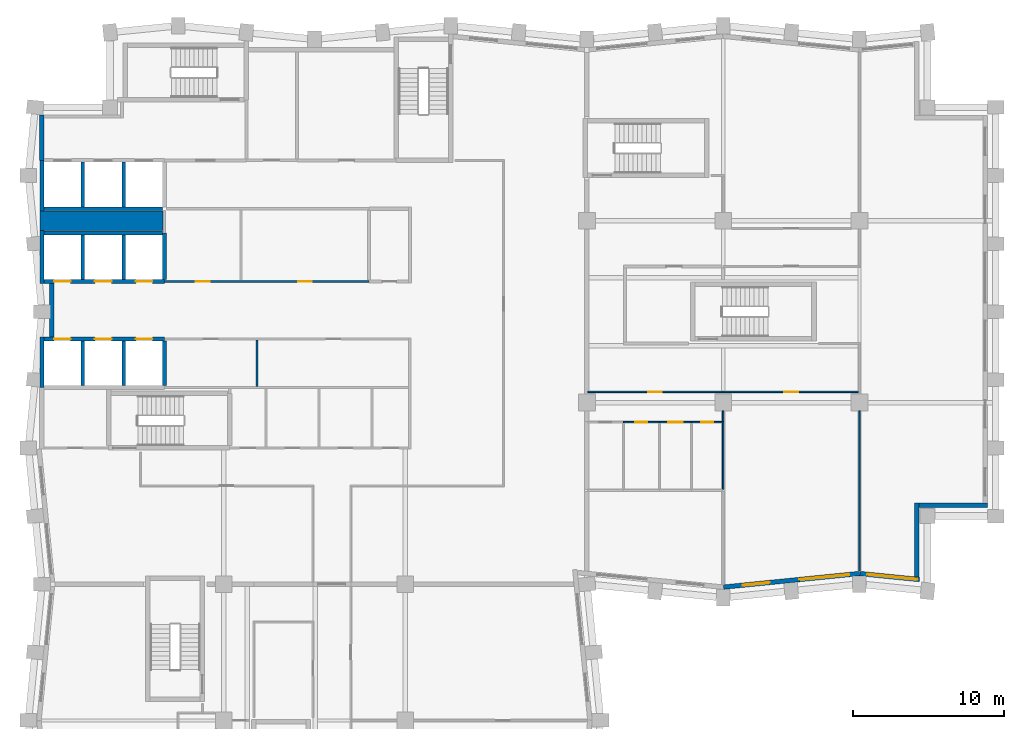
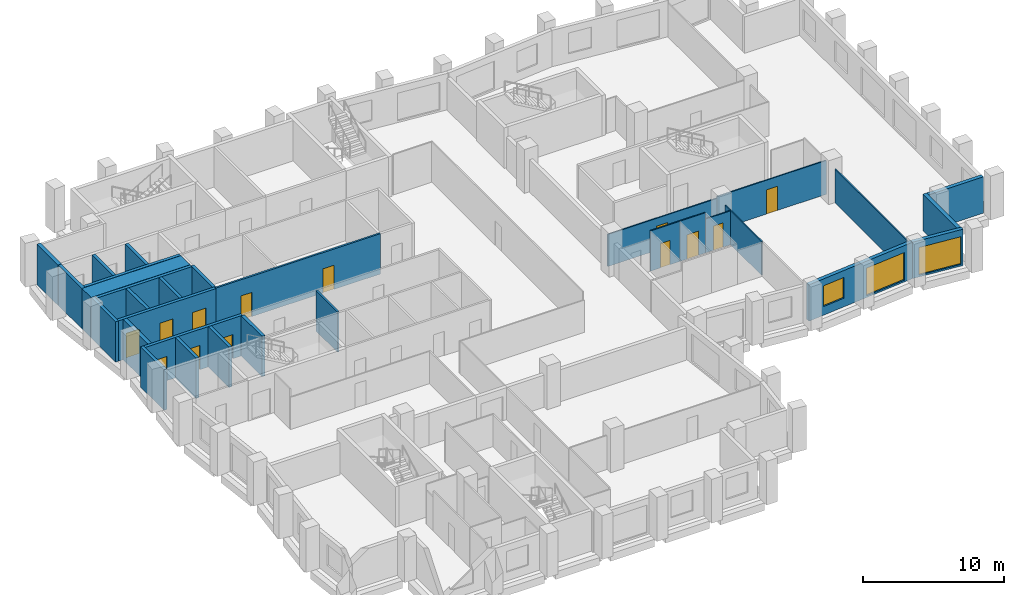
# One storey, part 5 of 10: 32 walls, 13 doors, 3 windows, 16 openings.
"""IFC4 building model written with IfcOpenShell, lengths in metres."""

from ifc_helpers import new_model, si_unit, direction, frame, frame_2d, origin, place, context, subcontext, project, spatial, rectangle, extrude, material, layer, layer_set, type_object, element, fill, save


model = new_model("IFC4")

# Units and contexts
model_context = context("Model", 3, precision=1e-05, world=origin(), true_north=direction((0.0, 1.0)))
body_context = subcontext(model_context, "Body", "Model", "MODEL_VIEW")
ifc_project = project(units=[si_unit("LENGTHUNIT", "METRE"), si_unit("AREAUNIT", "SQUARE_METRE"), si_unit("VOLUMEUNIT", "CUBIC_METRE"), si_unit("PLANEANGLEUNIT", "RADIAN"), si_unit("MASSUNIT", "GRAM", prefix="KILO")], contexts=[model_context])

# Site, building, storey
site_placement = place(None, origin())
site = spatial("IfcSite", under=ifc_project, at=site_placement, CompositionType="ELEMENT")
building_placement = place(site_placement, origin())
building = spatial("IfcBuilding", under=site, at=building_placement, Name="Brondeck Convention Tower", CompositionType="ELEMENT")
storey_placement = place(building_placement, frame((0.0, 0.0, 147.199951171875)))
storey = spatial("IfcBuildingStorey", under=building, at=storey_placement, Name="L35", CompositionType="ELEMENT", Elevation=147.199951171875)

# Walls
ifc_material_1 = material(Name="Concrete C70/85", Category="concrete")
ifc_layer_1 = layer(ifc_material_1, 0.300048828125)
ifc_layer_set_1 = layer_set([ifc_layer_1], Name="Core outer wall 300 Concrete C70/85")
wall_type_1 = type_object("IfcWallType", Name="Core outer wall 300 Concrete C70/85", PredefinedType="SHEAR", material=ifc_layer_set_1)
wall_1_placement = place(storey_placement, frame((0.0, 55.0, 0.0), z_axis=(0.0, 0.0, 1.0), x_axis=(0.0, 1.0, 0.0)))
element("IfcWall", 1, at=wall_1_placement, inside=storey, type_object=wall_type_1, Name="L35 core wall", PredefinedType="SHEAR", context=body_context, shape_type="SweptSolid", body=[
    extrude(rectangle(XDim=3.0, YDim=0.300048828125, at=frame_2d((1.5, 0.0))), origin(), (0.0, 0.0, 1.0), 3.5),
])
wall_2_placement = place(storey_placement, frame((0.64990234375, 43.324951171875, 0.0), z_axis=(0.0, 0.0, 1.0), x_axis=(0.0, 1.0, 0.0)))
element("IfcWall", 2, at=wall_2_placement, inside=storey, type_object=wall_type_1, Name="L35 core wall", PredefinedType="SHEAR", context=body_context, shape_type="SweptSolid", body=[
    extrude(rectangle(XDim=3.550048828125, YDim=0.300048828125, at=frame_2d((1.77490234375, 0.0))), origin(), (0.0, 0.0, 1.0), 3.5),
])

# Wall, openings, doors
ifc_material_2 = material(Name="Fire-rated gypsum board partition")
ifc_layer_2 = layer(ifc_material_2, 0.14990234375)
ifc_layer_set_2 = layer_set([ifc_layer_2], Name="Core partition 150 EI 60")
wall_type_2 = type_object("IfcWallType", Name="Core partition 150 EI 60", PredefinedType="PARTITIONING", material=ifc_layer_set_2)
wall_3_placement = place(storey_placement, frame((8.10009765625, 47.0, 0.0), z_axis=(0.0, 0.0, 1.0), x_axis=(1.0, 0.0, 0.0)))
wall_3 = element("IfcWall", 3, at=wall_3_placement, inside=storey, type_object=wall_type_2, Name="L35 core wall", PredefinedType="PARTITIONING", context=body_context, shape_type="SweptSolid", body=[
    extrude(rectangle(XDim=13.5, YDim=0.14990234375, at=frame_2d((6.75, 0.0))), origin(), (0.0, 0.0, 1.0), 3.5),
])
opening_1_placement = place(wall_3_placement, frame((2.074951171875, 0.0, 0.0)))
opening_1 = element("IfcOpeningElement", 4, at=opening_1_placement, cuts=wall_3, Name="Opening C21-08", PredefinedType="OPENING", context=body_context, shape_type="SweptSolid", body=[
    extrude(rectangle(XDim=0.89990234375, YDim=2.10009765625, at=frame_2d((0.449951171875, 1.050048828125))), frame((0.0, 0.0849609375, 0.0), z_axis=(0.0, -1.0, 0.0), x_axis=(1.0, 0.0, 0.0)), (0.0, 0.0, 1.0), 0.169921875),
])
opening_2_placement = place(wall_3_placement, frame((8.824951171875, 0.0, 0.0)))
opening_2 = element("IfcOpeningElement", 5, at=opening_2_placement, cuts=wall_3, Name="Opening C21-09", PredefinedType="OPENING", context=body_context, shape_type="SweptSolid", body=[
    extrude(rectangle(XDim=0.89990234375, YDim=2.10009765625, at=frame_2d((0.449951171875, 1.050048828125))), frame((0.0, 0.0849609375, 0.0), z_axis=(0.0, -1.0, 0.0), x_axis=(1.0, 0.0, 0.0)), (0.0, 0.0, 1.0), 0.169921875),
])
ifc_material_3 = material(Name="Steel fire door", Category="steel")
door_type_1 = type_object("IfcDoorType", Name="Room door 900x2100 EI 60", OperationType="NOTDEFINED", PredefinedType="DOOR", material=ifc_material_3)
door_1_placement = place(opening_1_placement, origin())
door_1 = element("IfcDoor", 6, at=door_1_placement, inside=storey, type_object=door_type_1, Name="L35 Room door FZ-N-8.1-1", OperationType="SINGLE_SWING_LEFT", OverallHeight=2.10009765625, OverallWidth=0.89990234375, PredefinedType="DOOR", context=body_context, shape_type="SweptSolid", body=[
    extrude(rectangle(XDim=0.89990234375, YDim=2.10009765625, at=frame_2d((0.449951171875, 1.050048828125))), frame((0.0, 0.02490234375, 0.0), z_axis=(0.0, -1.0, 0.0), x_axis=(1.0, 0.0, 0.0)), (0.0, 0.0, 1.0), 0.050048828125),
])
fill(opening_1, door_1)
door_2_placement = place(opening_2_placement, origin())
door_2 = element("IfcDoor", 7, at=door_2_placement, inside=storey, type_object=door_type_1, Name="L35 Room door FZ-N-8.1-2", OperationType="SINGLE_SWING_RIGHT", OverallHeight=2.10009765625, OverallWidth=0.89990234375, PredefinedType="DOOR", context=body_context, shape_type="SweptSolid", body=[
    extrude(rectangle(XDim=0.89990234375, YDim=2.10009765625, at=frame_2d((0.449951171875, 1.050048828125))), frame((0.0, 0.02490234375, 0.0), z_axis=(0.0, -1.0, 0.0), x_axis=(1.0, 0.0, 0.0)), (0.0, 0.0, 1.0), 0.050048828125),
])
fill(opening_2, door_2)

# Walls
wall_4_placement = place(storey_placement, frame((14.199951171875, 40.074951171875, 0.0), z_axis=(0.0, 0.0, 1.0), x_axis=(0.0, 1.0, 0.0)))
element("IfcWall", 8, at=wall_4_placement, inside=storey, type_object=wall_type_2, Name="L35 core wall", PredefinedType="PARTITIONING", context=body_context, shape_type="SweptSolid", body=[
    extrude(rectangle(XDim=3.050048828125, YDim=0.14990234375, at=frame_2d((1.52490234375, 0.0))), origin(), (0.0, 0.0, 1.0), 3.5),
])
ifc_layer_3 = layer(ifc_material_1, 1.300048828125)
ifc_layer_set_3 = layer_set([ifc_layer_3], Name="Core shear wall 1300 Concrete C70/85")
wall_type_3 = type_object("IfcWallType", Name="Core shear wall 1300 Concrete C70/85", PredefinedType="SHEAR", material=ifc_layer_set_3)
wall_5_placement = place(storey_placement, frame((-0.125, 51.0, 0.0), z_axis=(0.0, 0.0, 1.0), x_axis=(1.0, 0.0, 0.0)))
element("IfcWall", 9, at=wall_5_placement, inside=storey, type_object=wall_type_3, Name="L35 core wall", PredefinedType="SHEAR", context=body_context, shape_type="SweptSolid", body=[
    extrude(rectangle(XDim=8.125, YDim=1.300048828125, at=frame_2d((4.0625, 0.0))), origin(), (0.0, 0.0, 1.0), 3.5),
])

# Wall, openings, windows
ifc_material_4 = material(Name="Precast concrete C50/60 bronze finish", Category="concrete")
ifc_layer_4 = layer(ifc_material_4, 0.070068359375, Name="Bronze precast facing")
ifc_material_5 = material(Name="Mineral wool")
ifc_layer_5 = layer(ifc_material_5, 0.159912109375, Name="Insulation")
ifc_material_6 = material(Name="Concrete C35/45", Category="concrete")
ifc_layer_6 = layer(ifc_material_6, 0.070068359375, Name="Backing")
ifc_layer_set_4 = layer_set([ifc_layer_4, ifc_layer_5, ifc_layer_6], Name="External infill wall, precast concrete C50/60 bronze facing")
wall_type_4 = type_object("IfcWallType", Name="External infill wall, precast concrete C50/60 bronze facing", PredefinedType="SOLIDWALL", material=ifc_layer_set_4)
wall_6_placement = place(storey_placement, frame((54.014892578125, 27.705078125, 0.0), z_axis=(0.0, 0.0, 1.0), x_axis=(-0.995035316196, -0.099522457379, 0.0)))
wall_6 = element("IfcWall", 10, at=wall_6_placement, inside=storey, type_object=wall_type_4, Name="ENV-EW-L35-P1-A-S-02", PredefinedType="SOLIDWALL", context=body_context, shape_type="SweptSolid", body=[
    extrude(rectangle(XDim=9.030029296875, YDim=0.300048828125, at=frame_2d((4.51513671875, 0.0))), origin(), (0.0, 0.0, 1.0), 3.150146484375),
])
opening_3_placement = place(wall_6_placement, frame((0.6962890625, 0.0, 0.14990234375)))
opening_3 = element("IfcOpeningElement", 11, at=opening_3_placement, cuts=wall_6, Name="Opening W9", PredefinedType="OPENING", context=body_context, shape_type="SweptSolid", body=[
    extrude(rectangle(XDim=3.300048828125, YDim=2.39990234375, at=frame_2d((1.64990234375, 1.199951171875))), frame((0.0, 0.159912109375, 0.0), z_axis=(0.0, -1.0, 0.0), x_axis=(1.0, 0.0, 0.0)), (0.0, 0.0, 1.0), 0.320068359375),
])
opening_4_placement = place(wall_6_placement, frame((5.968505859375, 0.0, 0.75)))
opening_4 = element("IfcOpeningElement", 12, at=opening_4_placement, cuts=wall_6, Name="Opening W10", PredefinedType="OPENING", context=body_context, shape_type="SweptSolid", body=[
    extrude(rectangle(XDim=1.800048828125, YDim=1.800048828125, at=frame_2d((0.89990234375, 0.89990234375))), frame((0.0, 0.159912109375, 0.0), z_axis=(0.0, -1.0, 0.0), x_axis=(1.0, 0.0, 0.0)), (0.0, 0.0, 1.0), 0.320068359375),
])
ifc_material_7 = material(Name="Bronze tinted double glazing", Category="glass")
window_type_1 = type_object("IfcWindowType", Name="Glazed flute window, bronze tinted", PartitioningType="SINGLE_PANEL", PredefinedType="WINDOW", material=ifc_material_7)
window_1_placement = place(opening_3_placement, origin())
window_1 = element("IfcWindow", 13, at=window_1_placement, inside=storey, type_object=window_type_1, Name="ENV-WN-L35-P1-A-S-03", OverallHeight=2.39990234375, OverallWidth=3.300048828125, PartitioningType="SINGLE_PANEL", PredefinedType="WINDOW", context=body_context, shape_type="SweptSolid", body=[
    extrude(rectangle(XDim=3.300048828125, YDim=2.39990234375, at=frame_2d((1.64990234375, 1.199951171875))), frame((0.0, 0.030029296875, 0.0), z_axis=(0.0, -1.0, 0.0), x_axis=(1.0, 0.0, 0.0)), (0.0, 0.0, 1.0), 0.06005859375),
])
fill(opening_3, window_1)
window_type_2 = type_object("IfcWindowType", Name="Punched window, bronze tinted", PartitioningType="SINGLE_PANEL", PredefinedType="WINDOW", material=ifc_material_7)
window_2_placement = place(opening_4_placement, origin())
window_2 = element("IfcWindow", 14, at=window_2_placement, inside=storey, type_object=window_type_2, Name="ENV-WN-L35-P1-A-S-02", OverallHeight=1.800048828125, OverallWidth=1.800048828125, PartitioningType="SINGLE_PANEL", PredefinedType="WINDOW", context=body_context, shape_type="SweptSolid", body=[
    extrude(rectangle(XDim=1.800048828125, YDim=1.800048828125, at=frame_2d((0.89990234375, 0.89990234375))), frame((0.0, 0.030029296875, 0.0), z_axis=(0.0, -1.0, 0.0), x_axis=(1.0, 0.0, 0.0)), (0.0, 0.0, 1.0), 0.06005859375),
])
fill(opening_4, window_2)

# Wall, opening, window
wall_7_placement = place(storey_placement, frame((57.96484375, 27.306884765625, 0.0), z_axis=(0.0, 0.0, 1.0), x_axis=(-0.99503596767, 0.099515943658, 0.0)))
wall_7 = element("IfcWall", 15, at=wall_7_placement, inside=storey, type_object=wall_type_4, Name="ENV-EW-L35-P1-A-S-04", PredefinedType="SOLIDWALL", context=body_context, shape_type="SweptSolid", body=[
    extrude(rectangle(XDim=3.95458984375, YDim=0.300048828125, at=frame_2d((1.977294921875, 0.0))), origin(), (0.0, 0.0, 1.0), 3.150146484375),
])
opening_5_placement = place(wall_7_placement, frame((0.14990234375, 0.0, 0.14990234375)))
opening_5 = element("IfcOpeningElement", 16, at=opening_5_placement, cuts=wall_7, Name="Opening W9", PredefinedType="OPENING", context=body_context, shape_type="SweptSolid", body=[
    extrude(rectangle(XDim=3.300048828125, YDim=2.39990234375, at=frame_2d((1.64990234375, 1.199951171875))), frame((0.0, 0.159912109375, 0.0), z_axis=(0.0, -1.0, 0.0), x_axis=(1.0, 0.0, 0.0)), (0.0, 0.0, 1.0), 0.320068359375),
])
window_3_placement = place(opening_5_placement, origin())
window_3 = element("IfcWindow", 17, at=window_3_placement, inside=storey, type_object=window_type_1, Name="ENV-WN-L35-P1-A-S-04", OverallHeight=2.39990234375, OverallWidth=3.300048828125, PartitioningType="SINGLE_PANEL", PredefinedType="WINDOW", context=body_context, shape_type="SweptSolid", body=[
    extrude(rectangle(XDim=3.300048828125, YDim=2.39990234375, at=frame_2d((1.64990234375, 1.199951171875))), frame((0.0, 0.030029296875, 0.0), z_axis=(0.0, -1.0, 0.0), x_axis=(1.0, 0.0, 0.0)), (0.0, 0.0, 1.0), 0.06005859375),
])
fill(opening_5, window_3)

# Walls
wall_8_placement = place(storey_placement, frame((57.800048828125, 32.35009765625, 0.0), z_axis=(0.0, 0.0, 1.0), x_axis=(0.0, -1.0, 0.0)))
element("IfcWall", 18, at=wall_8_placement, inside=storey, type_object=wall_type_4, Name="ENV-EW-L35-P1-NC-SEA63-01", PredefinedType="SOLIDWALL", context=body_context, shape_type="SweptSolid", body=[
    extrude(rectangle(XDim=4.87060546875, YDim=0.300048828125, at=frame_2d((2.435302734375, 0.0))), origin(), (0.0, 0.0, 1.0), 3.150146484375),
])
wall_9_placement = place(storey_placement, frame((62.449951171875, 32.199951171875, 0.0), z_axis=(0.0, 0.0, 1.0), x_axis=(-1.0, 0.0, 0.0)))
element("IfcWall", 19, at=wall_9_placement, inside=storey, type_object=wall_type_4, Name="ENV-EW-L35-P1-NC-SEA63-02", PredefinedType="SOLIDWALL", context=body_context, shape_type="SweptSolid", body=[
    extrude(rectangle(XDim=4.501953125, YDim=0.300048828125, at=frame_2d((2.2509765625, 0.0))), origin(), (0.0, 0.0, 1.0), 3.150146484375),
])

# Wall, openings, doors
ifc_layer_7 = layer(ifc_material_1, 0.25)
ifc_layer_set_5 = layer_set([ifc_layer_7], Name="Lift shaft wall 250 Concrete C70/85")
wall_type_5 = type_object("IfcWallType", Name="Lift shaft wall 250 Concrete C70/85", PredefinedType="SHEAR", material=ifc_layer_set_5)
wall_10_placement = place(storey_placement, frame((0.125, 43.199951171875, 0.0), z_axis=(0.0, 0.0, 1.0), x_axis=(1.0, 0.0, 0.0)))
wall_10 = element("IfcWall", 20, at=wall_10_placement, inside=storey, type_object=wall_type_5, Name="L35 core wall", PredefinedType="SHEAR", context=body_context, shape_type="SweptSolid", body=[
    extrude(rectangle(XDim=7.97509765625, YDim=0.25, at=frame_2d((3.987548828125, 0.0))), origin(), (0.0, 0.0, 1.0), 3.5),
])
opening_6_placement = place(wall_10_placement, frame((0.675048828125, 0.0, 0.0)))
opening_6 = element("IfcOpeningElement", 21, at=opening_6_placement, cuts=wall_10, Name="Opening C21-24", PredefinedType="OPENING", context=body_context, shape_type="SweptSolid", body=[
    extrude(rectangle(XDim=1.10009765625, YDim=2.10009765625, at=frame_2d((0.550048828125, 1.050048828125))), frame((0.0, 0.135009765625, 0.0), z_axis=(0.0, -1.0, 0.0), x_axis=(1.0, 0.0, 0.0)), (0.0, 0.0, 1.0), 0.27001953125),
])
opening_7_placement = place(wall_10_placement, frame((3.375, 0.0, 0.0)))
opening_7 = element("IfcOpeningElement", 22, at=opening_7_placement, cuts=wall_10, Name="Opening C21-25", PredefinedType="OPENING", context=body_context, shape_type="SweptSolid", body=[
    extrude(rectangle(XDim=1.10009765625, YDim=2.10009765625, at=frame_2d((0.550048828125, 1.050048828125))), frame((0.0, 0.135009765625, 0.0), z_axis=(0.0, -1.0, 0.0), x_axis=(1.0, 0.0, 0.0)), (0.0, 0.0, 1.0), 0.27001953125),
])
opening_8_placement = place(wall_10_placement, frame((6.074951171875, 0.0, 0.0)))
opening_8 = element("IfcOpeningElement", 23, at=opening_8_placement, cuts=wall_10, Name="Opening C21-26", PredefinedType="OPENING", context=body_context, shape_type="SweptSolid", body=[
    extrude(rectangle(XDim=1.10009765625, YDim=2.10009765625, at=frame_2d((0.550048828125, 1.050048828125))), frame((0.0, 0.135009765625, 0.0), z_axis=(0.0, -1.0, 0.0), x_axis=(1.0, 0.0, 0.0)), (0.0, 0.0, 1.0), 0.27001953125),
])
ifc_material_8 = material(Name="Stainless steel lift door", Category="steel")
door_type_2 = type_object("IfcDoorType", Name="Lift landing door 1100x2100 EI 180", OperationType="DOUBLE_DOOR_SLIDING", PredefinedType="DOOR", material=ifc_material_8)
door_3_placement = place(opening_6_placement, origin())
door_3 = element("IfcDoor", 24, at=door_3_placement, inside=storey, type_object=door_type_2, Name="L35 Lift landing door HR1", OperationType="DOUBLE_DOOR_SLIDING", OverallHeight=2.10009765625, OverallWidth=1.10009765625, PredefinedType="DOOR", context=body_context, shape_type="SweptSolid", body=[
    extrude(rectangle(XDim=1.10009765625, YDim=2.10009765625, at=frame_2d((0.550048828125, 1.050048828125))), frame((0.0, 0.02490234375, 0.0), z_axis=(0.0, -1.0, 0.0), x_axis=(1.0, 0.0, 0.0)), (0.0, 0.0, 1.0), 0.050048828125),
])
fill(opening_6, door_3)
door_4_placement = place(opening_7_placement, origin())
door_4 = element("IfcDoor", 25, at=door_4_placement, inside=storey, type_object=door_type_2, Name="L35 Lift landing door HR2", OperationType="DOUBLE_DOOR_SLIDING", OverallHeight=2.10009765625, OverallWidth=1.10009765625, PredefinedType="DOOR", context=body_context, shape_type="SweptSolid", body=[
    extrude(rectangle(XDim=1.10009765625, YDim=2.10009765625, at=frame_2d((0.550048828125, 1.050048828125))), frame((0.0, 0.02490234375, 0.0), z_axis=(0.0, -1.0, 0.0), x_axis=(1.0, 0.0, 0.0)), (0.0, 0.0, 1.0), 0.050048828125),
])
fill(opening_7, door_4)
door_5_placement = place(opening_8_placement, origin())
door_5 = element("IfcDoor", 26, at=door_5_placement, inside=storey, type_object=door_type_2, Name="L35 Lift landing door HR3", OperationType="DOUBLE_DOOR_SLIDING", OverallHeight=2.10009765625, OverallWidth=1.10009765625, PredefinedType="DOOR", context=body_context, shape_type="SweptSolid", body=[
    extrude(rectangle(XDim=1.10009765625, YDim=2.10009765625, at=frame_2d((0.550048828125, 1.050048828125))), frame((0.0, 0.02490234375, 0.0), z_axis=(0.0, -1.0, 0.0), x_axis=(1.0, 0.0, 0.0)), (0.0, 0.0, 1.0), 0.050048828125),
])
fill(opening_8, door_5)

wall_11_placement = place(storey_placement, frame((0.125, 47.0, 0.0), z_axis=(0.0, 0.0, 1.0), x_axis=(1.0, 0.0, 0.0)))
wall_11 = element("IfcWall", 27, at=wall_11_placement, inside=storey, type_object=wall_type_5, Name="L35 core wall", PredefinedType="SHEAR", context=body_context, shape_type="SweptSolid", body=[
    extrude(rectangle(XDim=7.97509765625, YDim=0.25, at=frame_2d((3.987548828125, 0.0))), origin(), (0.0, 0.0, 1.0), 3.5),
])
opening_9_placement = place(wall_11_placement, frame((0.675048828125, 0.0, 0.0)))
opening_9 = element("IfcOpeningElement", 28, at=opening_9_placement, cuts=wall_11, Name="Opening C21-27", PredefinedType="OPENING", context=body_context, shape_type="SweptSolid", body=[
    extrude(rectangle(XDim=1.10009765625, YDim=2.10009765625, at=frame_2d((0.550048828125, 1.050048828125))), frame((0.0, 0.135009765625, 0.0), z_axis=(0.0, -1.0, 0.0), x_axis=(1.0, 0.0, 0.0)), (0.0, 0.0, 1.0), 0.27001953125),
])
opening_10_placement = place(wall_11_placement, frame((3.375, 0.0, 0.0)))
opening_10 = element("IfcOpeningElement", 29, at=opening_10_placement, cuts=wall_11, Name="Opening C21-28", PredefinedType="OPENING", context=body_context, shape_type="SweptSolid", body=[
    extrude(rectangle(XDim=1.10009765625, YDim=2.10009765625, at=frame_2d((0.550048828125, 1.050048828125))), frame((0.0, 0.135009765625, 0.0), z_axis=(0.0, -1.0, 0.0), x_axis=(1.0, 0.0, 0.0)), (0.0, 0.0, 1.0), 0.27001953125),
])
opening_11_placement = place(wall_11_placement, frame((6.074951171875, 0.0, 0.0)))
opening_11 = element("IfcOpeningElement", 30, at=opening_11_placement, cuts=wall_11, Name="Opening C21-29", PredefinedType="OPENING", context=body_context, shape_type="SweptSolid", body=[
    extrude(rectangle(XDim=1.10009765625, YDim=2.10009765625, at=frame_2d((0.550048828125, 1.050048828125))), frame((0.0, 0.135009765625, 0.0), z_axis=(0.0, -1.0, 0.0), x_axis=(1.0, 0.0, 0.0)), (0.0, 0.0, 1.0), 0.27001953125),
])
door_6_placement = place(opening_9_placement, origin())
door_6 = element("IfcDoor", 31, at=door_6_placement, inside=storey, type_object=door_type_2, Name="L35 Lift landing door HR4", OperationType="DOUBLE_DOOR_SLIDING", OverallHeight=2.10009765625, OverallWidth=1.10009765625, PredefinedType="DOOR", context=body_context, shape_type="SweptSolid", body=[
    extrude(rectangle(XDim=1.10009765625, YDim=2.10009765625, at=frame_2d((0.550048828125, 1.050048828125))), frame((0.0, 0.02490234375, 0.0), z_axis=(0.0, -1.0, 0.0), x_axis=(1.0, 0.0, 0.0)), (0.0, 0.0, 1.0), 0.050048828125),
])
fill(opening_9, door_6)
door_7_placement = place(opening_10_placement, origin())
door_7 = element("IfcDoor", 32, at=door_7_placement, inside=storey, type_object=door_type_2, Name="L35 Lift landing door HR5", OperationType="DOUBLE_DOOR_SLIDING", OverallHeight=2.10009765625, OverallWidth=1.10009765625, PredefinedType="DOOR", context=body_context, shape_type="SweptSolid", body=[
    extrude(rectangle(XDim=1.10009765625, YDim=2.10009765625, at=frame_2d((0.550048828125, 1.050048828125))), frame((0.0, 0.02490234375, 0.0), z_axis=(0.0, -1.0, 0.0), x_axis=(1.0, 0.0, 0.0)), (0.0, 0.0, 1.0), 0.050048828125),
])
fill(opening_10, door_7)
door_8_placement = place(opening_11_placement, origin())
door_8 = element("IfcDoor", 33, at=door_8_placement, inside=storey, type_object=door_type_2, Name="L35 Lift landing door HR6", OperationType="DOUBLE_DOOR_SLIDING", OverallHeight=2.10009765625, OverallWidth=1.10009765625, PredefinedType="DOOR", context=body_context, shape_type="SweptSolid", body=[
    extrude(rectangle(XDim=1.10009765625, YDim=2.10009765625, at=frame_2d((0.550048828125, 1.050048828125))), frame((0.0, 0.02490234375, 0.0), z_axis=(0.0, -1.0, 0.0), x_axis=(1.0, 0.0, 0.0)), (0.0, 0.0, 1.0), 0.050048828125),
])
fill(opening_11, door_8)

# Walls
for number, where, z_axis, x_axis, name in (
    (34, (0.125, 50.199951171875, 0.0), (0.0, 0.0, 1.0), (1.0, 0.0, 0.0), "L35 core wall"),
    (35, (0.125, 51.800048828125, 0.0), (0.0, 0.0, 1.0), (1.0, 0.0, 0.0), "L35 core wall"),
):
    element("IfcWall", number, at=place(storey_placement, frame(where, z_axis=z_axis, x_axis=x_axis)), inside=storey, type_object=wall_type_5, Name=name, PredefinedType="SHEAR", context=body_context, shape_type="SweptSolid", body=[
        extrude(rectangle(XDim=7.85009765625, YDim=0.25, at=frame_2d((3.925048828125, 0.0))), origin(), (0.0, 0.0, 1.0), 3.5),
    ])
wall_12_placement = place(storey_placement, frame((0.0, 40.0, 0.0), z_axis=(0.0, 0.0, 1.0), x_axis=(0.0, 1.0, 0.0)))
element("IfcWall", 36, at=wall_12_placement, inside=storey, type_object=wall_type_5, Name="L35 core wall", PredefinedType="SHEAR", context=body_context, shape_type="SweptSolid", body=[
    extrude(rectangle(XDim=3.324951171875, YDim=0.25, at=frame_2d((1.66259765625, 0.0))), origin(), (0.0, 0.0, 1.0), 3.5),
])
wall_13_placement = place(storey_placement, frame((0.0, 46.875, 0.0), z_axis=(0.0, 0.0, 1.0), x_axis=(0.0, 1.0, 0.0)))
element("IfcWall", 37, at=wall_13_placement, inside=storey, type_object=wall_type_5, Name="L35 core wall", PredefinedType="SHEAR", context=body_context, shape_type="SweptSolid", body=[
    extrude(rectangle(XDim=3.47509765625, YDim=0.25, at=frame_2d((1.737548828125, 0.0))), origin(), (0.0, 0.0, 1.0), 3.5),
])
wall_14_placement = place(storey_placement, frame((0.0, 51.64990234375, 0.0), z_axis=(0.0, 0.0, 1.0), x_axis=(0.0, 1.0, 0.0)))
element("IfcWall", 38, at=wall_14_placement, inside=storey, type_object=wall_type_5, Name="L35 core wall", PredefinedType="SHEAR", context=body_context, shape_type="SweptSolid", body=[
    extrude(rectangle(XDim=3.35009765625, YDim=0.25, at=frame_2d((1.675048828125, 0.0))), origin(), (0.0, 0.0, 1.0), 3.5),
])
for number, where, z_axis, x_axis, name in (
    (39, (2.699951171875, 40.125, 0.0), (0.0, 0.0, 1.0), (0.0, 1.0, 0.0), "L35 core wall"),
    (40, (2.699951171875, 47.125, 0.0), (0.0, 0.0, 1.0), (0.0, 1.0, 0.0), "L35 core wall"),
    (41, (2.699951171875, 51.925048828125, 0.0), (0.0, 0.0, 1.0), (0.0, 1.0, 0.0), "L35 core wall"),
    (42, (5.39990234375, 40.125, 0.0), (0.0, 0.0, 1.0), (0.0, 1.0, 0.0), "L35 core wall"),
    (43, (5.39990234375, 47.125, 0.0), (0.0, 0.0, 1.0), (0.0, 1.0, 0.0), "L35 core wall"),
    (44, (5.39990234375, 51.925048828125, 0.0), (0.0, 0.0, 1.0), (0.0, 1.0, 0.0), "L35 core wall"),
    (45, (8.10009765625, 40.125, 0.0), (0.0, 0.0, 1.0), (0.0, 1.0, 0.0), "L35 core wall"),
):
    element("IfcWall", number, at=place(storey_placement, frame(where, z_axis=z_axis, x_axis=x_axis)), inside=storey, type_object=wall_type_5, Name=name, PredefinedType="SHEAR", context=body_context, shape_type="SweptSolid", body=[
        extrude(rectangle(XDim=2.949951171875, YDim=0.25, at=frame_2d((1.47509765625, 0.0))), origin(), (0.0, 0.0, 1.0), 3.5),
    ])
wall_15_placement = place(storey_placement, frame((8.10009765625, 47.125, 0.0), z_axis=(0.0, 0.0, 1.0), x_axis=(0.0, 1.0, 0.0)))
element("IfcWall", 46, at=wall_15_placement, inside=storey, type_object=wall_type_5, Name="L35 core wall", PredefinedType="SHEAR", context=body_context, shape_type="SweptSolid", body=[
    extrude(rectangle(XDim=3.074951171875, YDim=0.25, at=frame_2d((1.53759765625, 0.0))), origin(), (0.0, 0.0, 1.0), 3.5),
])
ifc_material_9 = material(Name="Gypsum board partition on steel studs", Category="steel")
ifc_layer_8 = layer(ifc_material_9, 0.10009765625)
ifc_layer_set_6 = layer_set([ifc_layer_8], Name="Room partition 100")
wall_type_6 = type_object("IfcWallType", Name="Room partition 100", PredefinedType="PARTITIONING", material=ifc_layer_set_6)
wall_16_placement = place(storey_placement, frame((54.0, 27.874267578125, 0.0), z_axis=(0.0, 0.0, 1.0), x_axis=(0.0, 1.0, 0.0)))
element("IfcWall", 47, at=wall_16_placement, inside=storey, type_object=wall_type_6, Name="FLR-L35-W028", PredefinedType="PARTITIONING", context=body_context, shape_type="SweptSolid", body=[
    extrude(rectangle(XDim=10.57080078125, YDim=0.10009765625, at=frame_2d((5.285400390625, 0.0))), origin(), (0.0, 0.0, 1.0), 2.929931640625),
])
wall_17_placement = place(storey_placement, frame((45.0, 37.7451171875, 0.0), z_axis=(0.0, 0.0, 1.0), x_axis=(0.0, -1.0, 0.0)))
element("IfcWall", 48, at=wall_17_placement, inside=storey, type_object=wall_type_6, Name="FLR-L35-W043", PredefinedType="PARTITIONING", context=body_context, shape_type="SweptSolid", body=[
    extrude(rectangle(XDim=4.482666015625, YDim=0.10009765625, at=frame_2d((2.2412109375, 0.0))), origin(), (0.0, 0.0, 1.0), 2.929931640625),
])

# Wall, opening, door
wall_18_placement = place(storey_placement, frame((40.800048828125, 37.699951171875, 0.0), z_axis=(0.0, 0.0, 1.0), x_axis=(-1.0, 0.0, 0.0)))
wall_18 = element("IfcWall", 49, at=wall_18_placement, inside=storey, type_object=wall_type_6, Name="FLR-L35-W045", PredefinedType="PARTITIONING", context=body_context, shape_type="SweptSolid", body=[
    extrude(rectangle(XDim=2.400146484375, YDim=0.10009765625, at=frame_2d((1.2001953125, 0.0))), origin(), (0.0, 0.0, 1.0), 3.47998046875),
])
opening_12_placement = place(wall_18_placement, frame((0.800048828125, 0.0, 0.0)))
opening_12 = element("IfcOpeningElement", 50, at=opening_12_placement, cuts=wall_18, Name="Opening OF-F2-008", PredefinedType="OPENING", context=body_context, shape_type="SweptSolid", body=[
    extrude(rectangle(XDim=0.800048828125, YDim=2.10009765625, at=frame_2d((0.39990234375, 1.050048828125))), frame((0.0, 0.06005859375, 0.0), z_axis=(0.0, -1.0, 0.0), x_axis=(1.0, 0.0, 0.0)), (0.0, 0.0, 1.0), 0.1201171875),
])
ifc_material_10 = material(Name="Solid timber door leaf", Category="wood")
door_type_3 = type_object("IfcDoorType", Name="En-suite door 800", OperationType="NOTDEFINED", PredefinedType="DOOR", material=ifc_material_10)
door_9_placement = place(opening_12_placement, origin())
door_9 = element("IfcDoor", 51, at=door_9_placement, inside=storey, type_object=door_type_3, Name="Door OF-F2-008", OperationType="SINGLE_SWING_LEFT", OverallHeight=2.10009765625, OverallWidth=0.800048828125, PredefinedType="DOOR", context=body_context, shape_type="SweptSolid", body=[
    extrude(rectangle(XDim=0.800048828125, YDim=2.10009765625, at=frame_2d((0.39990234375, 1.050048828125))), frame((0.0, 0.02490234375, 0.0), z_axis=(0.0, -1.0, 0.0), x_axis=(1.0, 0.0, 0.0)), (0.0, 0.0, 1.0), 0.050048828125),
])
fill(opening_12, door_9)

wall_19_placement = place(storey_placement, frame((42.89990234375, 37.699951171875, 0.0), z_axis=(0.0, 0.0, 1.0), x_axis=(-1.0, 0.0, 0.0)))
wall_19 = element("IfcWall", 52, at=wall_19_placement, inside=storey, type_object=wall_type_6, Name="FLR-L35-W046", PredefinedType="PARTITIONING", context=body_context, shape_type="SweptSolid", body=[
    extrude(rectangle(XDim=2.099853515625, YDim=0.10009765625, at=frame_2d((1.0498046875, 0.0))), origin(), (0.0, 0.0, 1.0), 3.47998046875),
])
opening_13_placement = place(wall_19_placement, frame((0.574951171875, 0.0, 0.0)))
opening_13 = element("IfcOpeningElement", 53, at=opening_13_placement, cuts=wall_19, Name="Opening OF-F2-009", PredefinedType="OPENING", context=body_context, shape_type="SweptSolid", body=[
    extrude(rectangle(XDim=0.949951171875, YDim=2.10009765625, at=frame_2d((0.47509765625, 1.050048828125))), frame((0.0, 0.06005859375, 0.0), z_axis=(0.0, -1.0, 0.0), x_axis=(1.0, 0.0, 0.0)), (0.0, 0.0, 1.0), 0.1201171875),
])
door_type_4 = type_object("IfcDoorType", Name="Accessible door 950", OperationType="NOTDEFINED", PredefinedType="DOOR", material=ifc_material_10)
door_10_placement = place(opening_13_placement, origin())
door_10 = element("IfcDoor", 54, at=door_10_placement, inside=storey, type_object=door_type_4, Name="Door OF-F2-009", OperationType="SINGLE_SWING_RIGHT", OverallHeight=2.10009765625, OverallWidth=0.949951171875, PredefinedType="DOOR", context=body_context, shape_type="SweptSolid", body=[
    extrude(rectangle(XDim=0.949951171875, YDim=2.10009765625, at=frame_2d((0.47509765625, 1.050048828125))), frame((0.0, 0.02490234375, 0.0), z_axis=(0.0, -1.0, 0.0), x_axis=(1.0, 0.0, 0.0)), (0.0, 0.0, 1.0), 0.050048828125),
])
fill(opening_13, door_10)

wall_20_placement = place(storey_placement, frame((44.949951171875, 37.699951171875, 0.0), z_axis=(0.0, 0.0, 1.0), x_axis=(-1.0, 0.0, 0.0)))
wall_20 = element("IfcWall", 55, at=wall_20_placement, inside=storey, type_object=wall_type_6, Name="FLR-L35-W047", PredefinedType="PARTITIONING", context=body_context, shape_type="SweptSolid", body=[
    extrude(rectangle(XDim=2.050048828125, YDim=0.10009765625, at=frame_2d((1.02490234375, 0.0))), origin(), (0.0, 0.0, 1.0), 2.929931640625),
])
opening_14_placement = place(wall_20_placement, frame((0.60009765625, 0.0, 0.0)))
opening_14 = element("IfcOpeningElement", 56, at=opening_14_placement, cuts=wall_20, Name="Opening OF-F2-010", PredefinedType="OPENING", context=body_context, shape_type="SweptSolid", body=[
    extrude(rectangle(XDim=0.800048828125, YDim=2.10009765625, at=frame_2d((0.39990234375, 1.050048828125))), frame((0.0, 0.06005859375, 0.0), z_axis=(0.0, -1.0, 0.0), x_axis=(1.0, 0.0, 0.0)), (0.0, 0.0, 1.0), 0.1201171875),
])
ifc_material_11 = material(Name="Steel service door leaf", Category="steel")
door_type_5 = type_object("IfcDoorType", Name="Service door 800", OperationType="NOTDEFINED", PredefinedType="DOOR", material=ifc_material_11)
door_11_placement = place(opening_14_placement, origin())
door_11 = element("IfcDoor", 57, at=door_11_placement, inside=storey, type_object=door_type_5, Name="Door OF-F2-010", OperationType="SINGLE_SWING_LEFT", OverallHeight=2.10009765625, OverallWidth=0.800048828125, PredefinedType="DOOR", context=body_context, shape_type="SweptSolid", body=[
    extrude(rectangle(XDim=0.800048828125, YDim=2.10009765625, at=frame_2d((0.39990234375, 1.050048828125))), frame((0.0, 0.02490234375, 0.0), z_axis=(0.0, -1.0, 0.0), x_axis=(1.0, 0.0, 0.0)), (0.0, 0.0, 1.0), 0.050048828125),
])
fill(opening_14, door_11)

# Wall
wall_21_placement = place(storey_placement, frame((45.0, 38.445068359375, 0.0), z_axis=(0.0, 0.0, 1.0), x_axis=(0.0, -1.0, 0.0)))
element("IfcWall", 58, at=wall_21_placement, inside=storey, type_object=wall_type_6, Name="FLR-L35-W049", PredefinedType="PARTITIONING", context=body_context, shape_type="SweptSolid", body=[
    extrude(rectangle(XDim=0.695068359375, YDim=0.10009765625, at=frame_2d((0.34765625, 0.0))), origin(), (0.0, 0.0, 1.0), 2.929931640625),
])

# Wall, opening, door
wall_22_placement = place(storey_placement, frame((45.0, 39.699951171875, 0.0), z_axis=(0.0, 0.0, 1.0), x_axis=(-1.0, 0.0, 0.0)))
wall_22 = element("IfcWall", 59, at=wall_22_placement, inside=storey, type_object=wall_type_6, Name="FLR-L35-W050", PredefinedType="PARTITIONING", context=body_context, shape_type="SweptSolid", body=[
    extrude(rectangle(XDim=8.949951171875, YDim=0.10009765625, at=frame_2d((4.47509765625, 0.0))), origin(), (0.0, 0.0, 1.0), 2.780029296875),
])
opening_15_placement = place(wall_22_placement, frame((4.050048828125, 0.0, 0.0)))
opening_15 = element("IfcOpeningElement", 60, at=opening_15_placement, cuts=wall_22, Name="Opening OF-F2-006", PredefinedType="OPENING", context=body_context, shape_type="SweptSolid", body=[
    extrude(rectangle(XDim=0.89990234375, YDim=2.10009765625, at=frame_2d((0.449951171875, 1.050048828125))), frame((0.0, 0.06005859375, 0.0), z_axis=(0.0, -1.0, 0.0), x_axis=(1.0, 0.0, 0.0)), (0.0, 0.0, 1.0), 0.1201171875),
])
door_type_6 = type_object("IfcDoorType", Name="Single door 900", OperationType="NOTDEFINED", PredefinedType="DOOR", material=ifc_material_10)
door_12_placement = place(opening_15_placement, origin())
door_12 = element("IfcDoor", 61, at=door_12_placement, inside=storey, type_object=door_type_6, Name="Door OF-F2-006", OperationType="SINGLE_SWING_LEFT", OverallHeight=2.10009765625, OverallWidth=0.89990234375, PredefinedType="DOOR", context=body_context, shape_type="SweptSolid", body=[
    extrude(rectangle(XDim=0.89990234375, YDim=2.10009765625, at=frame_2d((0.449951171875, 1.050048828125))), frame((0.0, 0.02490234375, 0.0), z_axis=(0.0, -1.0, 0.0), x_axis=(1.0, 0.0, 0.0)), (0.0, 0.0, 1.0), 0.050048828125),
])
fill(opening_15, door_12)

wall_23_placement = place(storey_placement, frame((53.949951171875, 39.699951171875, 0.0), z_axis=(0.0, 0.0, 1.0), x_axis=(-1.0, 0.0, 0.0)))
wall_23 = element("IfcWall", 62, at=wall_23_placement, inside=storey, type_object=wall_type_6, Name="FLR-L35-W051", PredefinedType="PARTITIONING", context=body_context, shape_type="SweptSolid", body=[
    extrude(rectangle(XDim=8.949951171875, YDim=0.10009765625, at=frame_2d((4.47509765625, 0.0))), origin(), (0.0, 0.0, 1.0), 2.929931640625),
])
opening_16_placement = place(wall_23_placement, frame((4.0, 0.0, 0.0)))
opening_16 = element("IfcOpeningElement", 63, at=opening_16_placement, cuts=wall_23, Name="Opening OF-F2-011", PredefinedType="OPENING", context=body_context, shape_type="SweptSolid", body=[
    extrude(rectangle(XDim=0.89990234375, YDim=2.10009765625, at=frame_2d((0.449951171875, 1.050048828125))), frame((0.0, 0.06005859375, 0.0), z_axis=(0.0, -1.0, 0.0), x_axis=(1.0, 0.0, 0.0)), (0.0, 0.0, 1.0), 0.1201171875),
])
door_13_placement = place(opening_16_placement, origin())
door_13 = element("IfcDoor", 64, at=door_13_placement, inside=storey, type_object=door_type_6, Name="Door OF-F2-011", OperationType="SINGLE_SWING_LEFT", OverallHeight=2.10009765625, OverallWidth=0.89990234375, PredefinedType="DOOR", context=body_context, shape_type="SweptSolid", body=[
    extrude(rectangle(XDim=0.89990234375, YDim=2.10009765625, at=frame_2d((0.449951171875, 1.050048828125))), frame((0.0, 0.02490234375, 0.0), z_axis=(0.0, -1.0, 0.0), x_axis=(1.0, 0.0, 0.0)), (0.0, 0.0, 1.0), 0.050048828125),
])
fill(opening_16, door_13)

save(model, "model.ifc")
